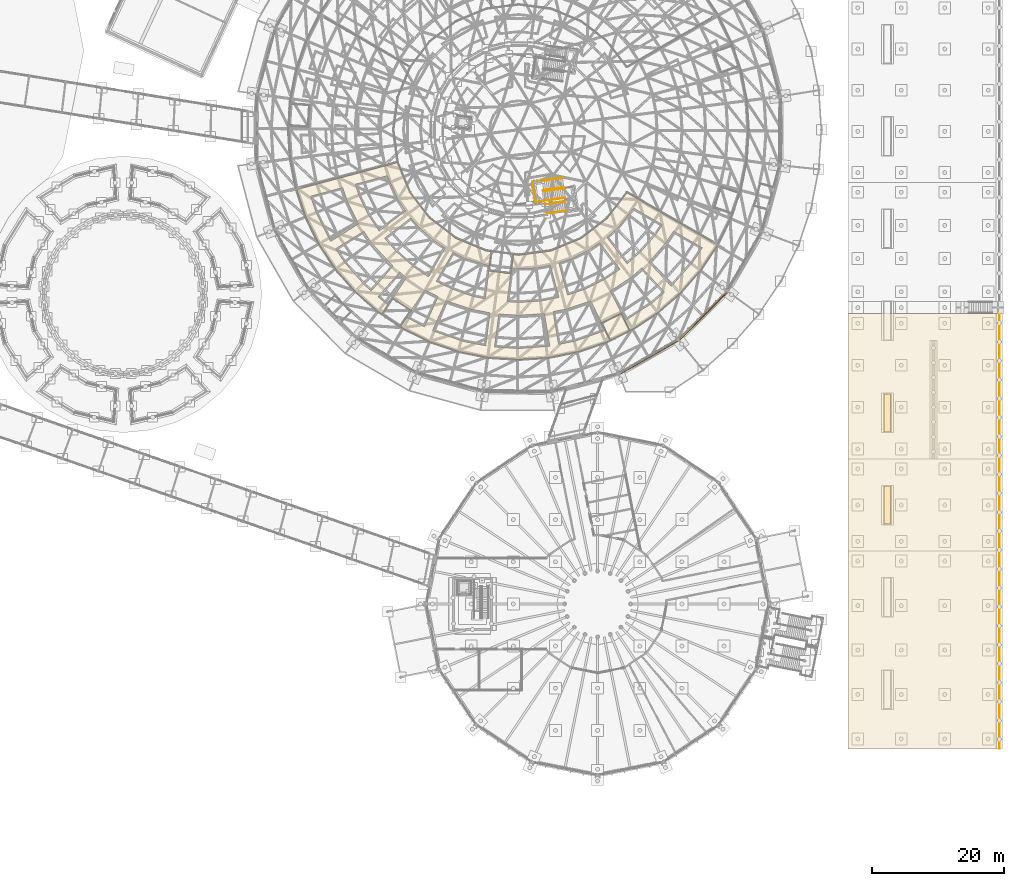
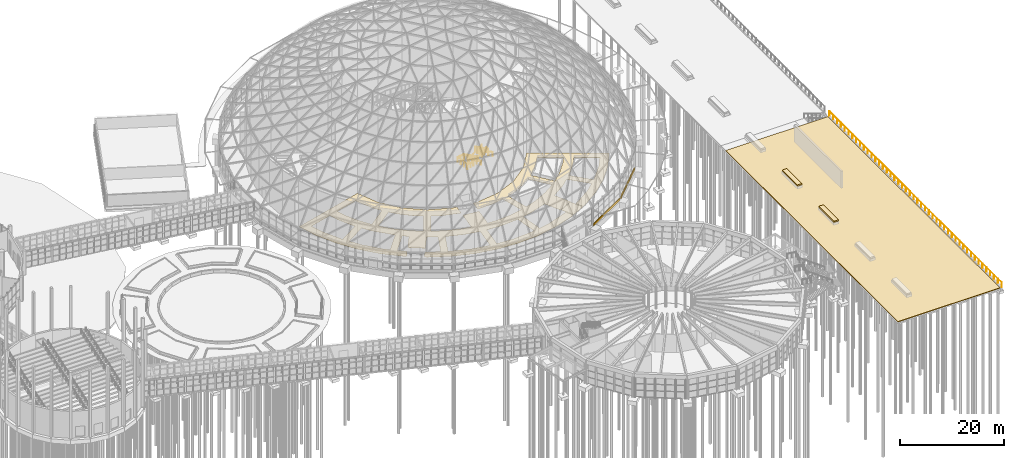
# One storey, part 220 of 226: 8 railings, 7 coverings.
"""IFC4 building model written with IfcOpenShell, lengths in metres."""

from ifc_helpers import new_model, si_unit, direction, frame, origin, origin_2d, place, context, subcontext, project, spatial, polyline, circle, outline, extrude, material, layer, layer_set, type_object, element, save


model = new_model("IFC4")

# Units and contexts
model_context = context("Model", 3, precision=1e-05, world=origin(), true_north=direction((0.0, 1.0)))
body_context = subcontext(model_context, "Body", "Model", "MODEL_VIEW")
ifc_project = project(units=[si_unit("LENGTHUNIT", "METRE"), si_unit("AREAUNIT", "SQUARE_METRE"), si_unit("VOLUMEUNIT", "CUBIC_METRE"), si_unit("PLANEANGLEUNIT", "RADIAN"), si_unit("MASSUNIT", "GRAM", prefix="KILO")], contexts=[model_context])

# Site, building, storey
site_placement = place(None, origin())
site = spatial("IfcSite", under=ifc_project, at=site_placement, CompositionType="ELEMENT")
building_placement = place(site_placement, origin())
building = spatial("IfcBuilding", under=site, at=building_placement, Name="Ceibo Conservatory and Research Tower", CompositionType="ELEMENT")
storey_placement = place(building_placement, origin())
storey = spatial("IfcBuildingStorey", under=building, at=storey_placement, Name="L00", CompositionType="ELEMENT", Elevation=0.0)

# Coverings
ifc_material_1 = material(Name="Concrete C35/45", Category="concrete")
ifc_layer_1 = layer(ifc_material_1, 0.14990234375)
ifc_layer_set_1 = layer_set([ifc_layer_1], Name="Concrete C35/45")
covering_type_1 = type_object("IfcCoveringType", Name="Concrete plinth facing 150", PredefinedType="CLADDING", material=ifc_layer_set_1)
covering_1_placement = place(storey_placement, origin())
element("IfcCovering", 1, at=covering_1_placement, inside=storey, type_object=covering_type_1, Name="Drum plinth facing A-PL25", PredefinedType="CLADDING", context=body_context, shape_type="SweptSolid", body=[
    extrude(outline(polyline([(171.362060546875, 71.009765625), (180.074951171875, 75.989501953125), (180.1494140625, 75.859375), (171.4365234375, 70.87939453125), (171.362060546875, 71.009765625)])), origin(), (0.0, 0.0, 1.0), 0.5),
])
covering_2_placement = place(storey_placement, origin())
element("IfcCovering", 2, at=covering_2_placement, inside=storey, type_object=covering_type_1, Name="Drum plinth facing A-PL26", PredefinedType="CLADDING", context=body_context, shape_type="SweptSolid", body=[
    extrude(outline(polyline([(180.412353515625, 76.24609375), (187.53955078125, 83.311279296875), (187.645263671875, 83.204833984375), (180.51806640625, 76.1396484375), (180.412353515625, 76.24609375)])), origin(), (0.0, 0.0, 1.0), 0.5),
])

# Railings
ifc_material_2 = material(Name="Stainless steel AISI 316", Category="steel")
railing_type_1 = type_object("IfcRailingType", Name="Conservatory guard 1100", PredefinedType="GUARDRAIL", material=ifc_material_2)
railing_1_placement = place(storey_placement, frame((163.09130859375, 97.635986328125, 4.0)))
element("IfcRailing", 3, at=railing_1_placement, inside=storey, type_object=railing_type_1, Name="Guard walkway stair 2 landing", PredefinedType="GUARDRAIL", context=body_context, shape_type="SweptSolid", body=[
    extrude(circle(Radius=0.02392578125, at=origin_2d()), frame((0.0, 0.0, 1.076171875), z_axis=(-0.850947260664, -0.119539937762, -0.511467460204), x_axis=(0.139112730934, -0.990276551319, 0.0)), (0.0, 0.0, 1.0), 3.584228515625),
    extrude(circle(Radius=0.02392578125, at=origin_2d()), frame((-3.050048828125, -0.428466796875, -0.75732421875), z_axis=(-0.984206166435, -0.138312996762, -0.110488627823), x_axis=(0.139165050317, -0.990269200152, 0.0)), (0.0, 0.0, 1.0), 1.50927734375),
    extrude(circle(Radius=0.02392578125, at=origin_2d()), frame((-4.535400390625, -0.63720703125, -0.923828125), z_axis=(-0.139160708979, 0.990269810242, 0.0), x_axis=(-0.990269810242, -0.139160708979, 0.0)), (0.0, 0.0, 1.0), 3.10009765625),
    extrude(circle(Radius=0.02392578125, at=origin_2d()), frame((-4.966796875, 2.4326171875, -0.923828125), z_axis=(0.990269200152, 0.139165050317, 0.0), x_axis=(-0.139165050317, 0.990269200152, 0.0)), (0.0, 0.0, 1.0), 1.5),
    extrude(circle(Radius=0.02392578125, at=origin_2d()), frame((-3.4814453125, 2.641357421875, -0.923828125), z_axis=(0.850947260664, 0.119539937762, -0.511467460204), x_axis=(-0.139112730934, 0.990276551319, 0.0)), (0.0, 0.0, 1.0), 3.584228515625),
    extrude(circle(Radius=0.02099609375, at=origin_2d()), origin(), (0.0, 0.0, 1.0), 1.052001953125),
    extrude(circle(Radius=0.02099609375, at=origin_2d()), frame((-1.0166015625, -0.142822265625, -0.611083984375)), (0.0, 0.0, 1.0), 1.052001953125),
    extrude(circle(Radius=0.02099609375, at=origin_2d()), frame((-2.033447265625, -0.28564453125, -1.22216796875)), (0.0, 0.0, 1.0), 1.052001953125),
    extrude(circle(Radius=0.02099609375, at=origin_2d()), frame((-3.050048828125, -0.428466796875, -1.833251953125)), (0.0, 0.0, 1.0), 1.052001953125),
    extrude(circle(Radius=0.02099609375, at=origin_2d()), frame((-3.792724609375, -0.53271484375, -1.91650390625)), (0.0, 0.0, 1.0), 1.052001953125),
    extrude(circle(Radius=0.02099609375, at=origin_2d()), frame((-4.535400390625, -0.63720703125, -2.0)), (0.0, 0.0, 1.0), 1.052001953125),
    extrude(circle(Radius=0.02099609375, at=origin_2d()), frame((-4.67919921875, 0.385986328125, -2.0)), (0.0, 0.0, 1.0), 1.052001953125),
    extrude(circle(Radius=0.02099609375, at=origin_2d()), frame((-4.822998046875, 1.409423828125, -2.0)), (0.0, 0.0, 1.0), 1.052001953125),
    extrude(circle(Radius=0.02099609375, at=origin_2d()), frame((-4.966796875, 2.4326171875, -2.0)), (0.0, 0.0, 1.0), 1.052001953125),
    extrude(circle(Radius=0.02099609375, at=origin_2d()), frame((-4.22412109375, 2.537109375, -2.0)), (0.0, 0.0, 1.0), 1.052001953125),
    extrude(circle(Radius=0.02099609375, at=origin_2d()), frame((-3.4814453125, 2.641357421875, -2.0)), (0.0, 0.0, 1.0), 1.052001953125),
    extrude(circle(Radius=0.02099609375, at=origin_2d()), frame((-2.46484375, 2.7841796875, -2.611083984375)), (0.0, 0.0, 1.0), 1.052001953125),
    extrude(circle(Radius=0.02099609375, at=origin_2d()), frame((-1.447998046875, 2.927001953125, -3.22216796875)), (0.0, 0.0, 1.0), 1.052001953125),
    extrude(circle(Radius=0.02099609375, at=origin_2d()), frame((-0.431396484375, 3.06982421875, -3.833251953125)), (0.0, 0.0, 1.0), 1.052001953125),
])
railing_type_2 = type_object("IfcRailingType", Name="Conservatory handrail 900", PredefinedType="HANDRAIL", material=ifc_material_2)
railing_2_placement = place(storey_placement, frame((162.8603515625, 99.27978515625, 0.166748046875)))
element("IfcRailing", 4, at=railing_2_placement, inside=storey, type_object=railing_type_2, Name="Handrail walkway stair 2 flight 1", PredefinedType="HANDRAIL", context=body_context, shape_type="SweptSolid", body=[
    extrude(circle(Radius=0.02392578125, at=origin_2d()), frame((0.0, 0.0, 0.8759765625), z_axis=(-0.850947260664, -0.119539937762, 0.511467460204), x_axis=(0.139112730934, -0.990276551319, 0.0)), (0.0, 0.0, 1.0), 3.584228515625),
    extrude(circle(Radius=0.02099609375, at=origin_2d()), origin(), (0.0, 0.0, 1.0), 0.851806640625),
    extrude(circle(Radius=0.02099609375, at=origin_2d()), frame((-1.0166015625, -0.142822265625, 0.611083984375)), (0.0, 0.0, 1.0), 0.851806640625),
    extrude(circle(Radius=0.02099609375, at=origin_2d()), frame((-2.033447265625, -0.28564453125, 1.22216796875)), (0.0, 0.0, 1.0), 0.851806640625),
    extrude(circle(Radius=0.02099609375, at=origin_2d()), frame((-3.050048828125, -0.428466796875, 1.833251953125)), (0.0, 0.0, 1.0), 0.851806640625),
])
railing_3_placement = place(storey_placement, frame((162.66845703125, 100.646484375, 0.166748046875)))
element("IfcRailing", 5, at=railing_3_placement, inside=storey, type_object=railing_type_2, Name="Handrail walkway stair 2 flight 1", PredefinedType="HANDRAIL", context=body_context, shape_type="SweptSolid", body=[
    extrude(circle(Radius=0.02392578125, at=origin_2d()), frame((0.0, 0.0, 0.8759765625), z_axis=(-0.850940330078, -0.119607077533, 0.511463294529), x_axis=(0.139190462168, -0.990265628628, 0.0)), (0.0, 0.0, 1.0), 3.584228515625),
    extrude(circle(Radius=0.02099609375, at=origin_2d()), origin(), (0.0, 0.0, 1.0), 0.851806640625),
    extrude(circle(Radius=0.02099609375, at=origin_2d()), frame((-1.0166015625, -0.142822265625, 0.611083984375)), (0.0, 0.0, 1.0), 0.851806640625),
    extrude(circle(Radius=0.02099609375, at=origin_2d()), frame((-2.033447265625, -0.285888671875, 1.22216796875)), (0.0, 0.0, 1.0), 0.851806640625),
    extrude(circle(Radius=0.02099609375, at=origin_2d()), frame((-3.050048828125, -0.4287109375, 1.833251953125)), (0.0, 0.0, 1.0), 0.851806640625),
])
railing_4_placement = place(storey_placement, frame((159.841064453125, 98.633544921875, 2.166748046875)))
element("IfcRailing", 6, at=railing_4_placement, inside=storey, type_object=railing_type_2, Name="Handrail walkway stair 2 flight 2", PredefinedType="HANDRAIL", context=body_context, shape_type="SweptSolid", body=[
    extrude(circle(Radius=0.02392578125, at=origin_2d()), frame((0.0, 0.0, 0.8759765625), z_axis=(0.850947260664, 0.119539937762, 0.511467460204), x_axis=(-0.139112730934, 0.990276551319, 0.0)), (0.0, 0.0, 1.0), 3.584228515625),
    extrude(circle(Radius=0.02099609375, at=origin_2d()), origin(), (0.0, 0.0, 1.0), 0.851806640625),
    extrude(circle(Radius=0.02099609375, at=origin_2d()), frame((1.0166015625, 0.142822265625, 0.611083984375)), (0.0, 0.0, 1.0), 0.851806640625),
    extrude(circle(Radius=0.02099609375, at=origin_2d()), frame((2.033447265625, 0.28564453125, 1.22216796875)), (0.0, 0.0, 1.0), 0.851806640625),
    extrude(circle(Radius=0.02099609375, at=origin_2d()), frame((3.050048828125, 0.428466796875, 1.833251953125)), (0.0, 0.0, 1.0), 0.851806640625),
])
railing_5_placement = place(storey_placement, frame((160.032958984375, 97.266845703125, 2.166748046875)))
element("IfcRailing", 7, at=railing_5_placement, inside=storey, type_object=railing_type_2, Name="Handrail walkway stair 2 flight 2", PredefinedType="HANDRAIL", context=body_context, shape_type="SweptSolid", body=[
    extrude(circle(Radius=0.02392578125, at=origin_2d()), frame((0.0, 0.0, 0.8759765625), z_axis=(0.850940330078, 0.119607077533, 0.511463294529), x_axis=(-0.139190462168, 0.990265628628, 0.0)), (0.0, 0.0, 1.0), 3.584228515625),
    extrude(circle(Radius=0.02099609375, at=origin_2d()), origin(), (0.0, 0.0, 1.0), 0.851806640625),
    extrude(circle(Radius=0.02099609375, at=origin_2d()), frame((1.0166015625, 0.142822265625, 0.611083984375)), (0.0, 0.0, 1.0), 0.851806640625),
    extrude(circle(Radius=0.02099609375, at=origin_2d()), frame((2.033447265625, 0.285888671875, 1.22216796875)), (0.0, 0.0, 1.0), 0.851806640625),
    extrude(circle(Radius=0.02099609375, at=origin_2d()), frame((3.050048828125, 0.4287109375, 1.833251953125)), (0.0, 0.0, 1.0), 0.851806640625),
])
railing_6_placement = place(storey_placement, frame((163.361328125, 95.71484375, 4.166748046875)))
element("IfcRailing", 8, at=railing_6_placement, inside=storey, type_object=railing_type_2, Name="Handrail walkway stair 2 flight 3", PredefinedType="HANDRAIL", context=body_context, shape_type="SweptSolid", body=[
    extrude(circle(Radius=0.02392578125, at=origin_2d()), frame((0.0, 0.0, 0.8759765625), z_axis=(-0.850947260664, -0.119539937762, 0.511467460204), x_axis=(0.139112730934, -0.990276551319, 0.0)), (0.0, 0.0, 1.0), 3.584228515625),
    extrude(circle(Radius=0.02099609375, at=origin_2d()), origin(), (0.0, 0.0, 1.0), 0.851806640625),
    extrude(circle(Radius=0.02099609375, at=origin_2d()), frame((-1.0166015625, -0.142822265625, 0.611083984375)), (0.0, 0.0, 1.0), 0.851806640625),
    extrude(circle(Radius=0.02099609375, at=origin_2d()), frame((-2.033447265625, -0.28564453125, 1.22216796875)), (0.0, 0.0, 1.0), 0.851806640625),
    extrude(circle(Radius=0.02099609375, at=origin_2d()), frame((-3.050048828125, -0.428466796875, 1.833251953125)), (0.0, 0.0, 1.0), 0.851806640625),
])
railing_7_placement = place(storey_placement, frame((163.16943359375, 97.08154296875, 4.166748046875)))
element("IfcRailing", 9, at=railing_7_placement, inside=storey, type_object=railing_type_2, Name="Handrail walkway stair 2 flight 3", PredefinedType="HANDRAIL", context=body_context, shape_type="SweptSolid", body=[
    extrude(circle(Radius=0.02392578125, at=origin_2d()), frame((0.0, 0.0, 0.8759765625), z_axis=(-0.850940330078, -0.119607077533, 0.511463294529), x_axis=(0.139190462168, -0.990265628628, 0.0)), (0.0, 0.0, 1.0), 3.584228515625),
    extrude(circle(Radius=0.02099609375, at=origin_2d()), origin(), (0.0, 0.0, 1.0), 0.851806640625),
    extrude(circle(Radius=0.02099609375, at=origin_2d()), frame((-1.0166015625, -0.142822265625, 0.611083984375)), (0.0, 0.0, 1.0), 0.851806640625),
    extrude(circle(Radius=0.02099609375, at=origin_2d()), frame((-2.033447265625, -0.285888671875, 1.22216796875)), (0.0, 0.0, 1.0), 0.851806640625),
    extrude(circle(Radius=0.02099609375, at=origin_2d()), frame((-3.050048828125, -0.4287109375, 1.833251953125)), (0.0, 0.0, 1.0), 0.851806640625),
])

# Coverings
ifc_material_3 = material(Name="Granite paving", Category="masonry")
ifc_layer_2 = layer(ifc_material_3, 0.02001953125)
ifc_layer_set_2 = layer_set([ifc_layer_2], Name="Granite paving")
covering_type_2 = type_object("IfcCoveringType", Name="Paving 20", PredefinedType="FLOORING", material=ifc_layer_set_2)
covering_3_placement = place(storey_placement, origin())
element("IfcCovering", 10, at=covering_3_placement, inside=storey, type_object=covering_type_2, Name="Path paving A-PV04", PredefinedType="FLOORING", context=body_context, shape_type="SweptSolid", body=[
    extrude(outline(polyline([(139.008056640625, 79.510009765625), (138.06591796875, 78.10009765625), (138.550048828125, 77.77587890625), (142.64404296875, 75.756103515625), (146.968017578125, 74.2900390625), (151.444091796875, 73.39794921875), (156.0, 73.10009765625), (160.555908203125, 73.39794921875), (165.031982421875, 74.2900390625), (169.35595703125, 75.756103515625), (169.8779296875, 76.013916015625), (169.1279296875, 77.535888671875), (164.592041015625, 75.931884765625), (162.0859375, 75.431884765625), (161.27392578125, 80.35791015625), (163.298095703125, 80.760009765625), (166.929931640625, 81.993896484375), (168.573974609375, 78.659912109375), (171.6220703125, 80.1640625), (169.97802734375, 83.498046875), (173.16796875, 85.6279296875), (174.719970703125, 86.989990234375), (178.132080078125, 83.345947265625), (176.2099609375, 81.659912109375), (172.177978515625, 79.0400390625), (172.927978515625, 77.51806640625), (172.929931640625, 77.52001953125), (173.449951171875, 77.77587890625), (177.24609375, 80.31201171875), (180.677978515625, 83.322021484375), (183.68798828125, 86.75390625), (186.196044921875, 90.508056640625), (185.419921875, 90.9560546875), (181.9560546875, 92.9560546875), (177.6259765625, 95.4560546875), (172.468017578125, 98.43408203125), (169.47412109375, 94.533935546875), (169.43603515625, 94.56396484375), (169.466064453125, 94.52587890625), (165.530029296875, 91.506103515625), (165.5, 91.5458984375), (165.52001953125, 91.5), (160.93603515625, 89.60205078125), (160.91796875, 89.64794921875), (160.924072265625, 89.597900390625), (156.006103515625, 88.949951171875), (156.0, 89.0), (155.993896484375, 88.949951171875), (155.219970703125, 89.052001953125), (154.931884765625, 86.8701171875), (158.76806640625, 86.98193359375), (160.798095703125, 87.385986328125), (162.093994140625, 82.555908203125), (159.419921875, 82.02392578125), (156.0, 81.800048828125), (154.280029296875, 81.912109375), (154.8359375, 86.1279296875), (151.464111328125, 86.572021484375), (150.909912109375, 82.35595703125), (149.218017578125, 82.69189453125), (145.97412109375, 83.7939453125), (143.530029296875, 85.0), (146.030029296875, 89.330078125), (147.887939453125, 88.4140625), (151.56201171875, 87.31396484375), (151.85009765625, 89.49609375), (151.075927734375, 89.597900390625), (151.08203125, 89.64794921875), (151.06396484375, 89.60205078125), (146.47998046875, 91.5), (146.5, 91.5458984375), (146.469970703125, 91.506103515625), (142.533935546875, 94.52587890625), (142.56396484375, 94.56396484375), (142.52587890625, 94.533935546875), (139.506103515625, 98.469970703125), (139.5458984375, 98.5), (139.5, 98.47998046875), (137.617919921875, 103.02197265625), (131.864013671875, 101.48193359375), (127.035888671875, 100.18798828125), (123.172119140625, 99.152099609375), (122.305908203125, 98.919921875), (123.756103515625, 94.64404296875), (125.77587890625, 90.550048828125), (128.31201171875, 86.75390625), (131.322021484375, 83.322021484375), (134.75390625, 80.31201171875), (135.238037109375, 79.988037109375), (136.181884765625, 81.39794921875), (134.681884765625, 82.6298828125), (137.971923828125, 86.382080078125), (138.94189453125, 85.531982421875), (136.8779296875, 82.44189453125), (139.7041015625, 80.552001953125), (141.77001953125, 83.64208984375), (143.751953125, 82.6640625), (141.69189453125, 78.117919921875), (139.008056640625, 79.510009765625)]), holes=[polyline([(182.340087890625, 87.7900390625), (179.18603515625, 84.27001953125), (175.7919921875, 87.89208984375), (178.3720703125, 90.83203125), (179.531982421875, 92.56591796875), (183.862060546875, 90.06591796875), (182.340087890625, 87.7900390625)]), polyline([(174.52587890625, 89.47412109375), (172.47607421875, 87.676025390625), (169.43408203125, 91.64404296875), (170.989990234375, 93.010009765625), (173.468017578125, 96.06591796875), (177.800048828125, 93.56591796875), (176.785888671875, 92.050048828125), (174.52587890625, 89.47412109375)]), polyline([(162.152099609375, 87.748046875), (164.112060546875, 88.4140625), (166.60009765625, 89.639892578125), (168.322021484375, 90.7919921875), (171.365966796875, 86.823974609375), (169.10009765625, 85.31005859375), (166.02587890625, 83.7939453125), (163.446044921875, 82.91796875), (162.152099609375, 87.748046875)]), polyline([(156.0, 74.800048828125), (152.365966796875, 75.0380859375), (153.02001953125, 79.99609375), (156.0, 79.800048828125), (159.904052734375, 80.055908203125), (160.7119140625, 75.159912109375), (156.0, 74.800048828125)]), polyline([(147.407958984375, 75.931884765625), (142.947998046875, 77.498046875), (144.99609375, 82.01806640625), (148.701904296875, 80.760009765625), (151.632080078125, 80.177978515625), (150.97802734375, 75.219970703125), (147.407958984375, 75.931884765625)]), polyline([(135.676025390625, 91.52392578125), (139.64404296875, 94.56591796875), (141.010009765625, 93.010009765625), (143.093994140625, 91.179931640625), (144.81591796875, 90.030029296875), (142.31591796875, 85.699951171875), (140.050048828125, 87.214111328125), (137.47412109375, 89.47412109375), (135.676025390625, 91.52392578125)]), polyline([(131.7939453125, 97.97412109375), (131.2080078125, 99.699951171875), (136.0380859375, 100.993896484375), (137.639892578125, 97.39990234375), (138.7919921875, 95.677978515625), (134.823974609375, 92.634033203125), (133.31005859375, 94.89990234375), (131.7939453125, 97.97412109375)]), polyline([(129.659912109375, 87.7900390625), (128.239990234375, 89.9140625), (132.47998046875, 92.550048828125), (133.6279296875, 90.83203125), (136.919921875, 87.305908203125), (133.6298828125, 83.553955078125), (132.52392578125, 84.52392578125), (129.659912109375, 87.7900390625)]), polyline([(127.4619140625, 91.077880859375), (125.327880859375, 95.2939453125), (124.446044921875, 97.887939453125), (129.27587890625, 99.181884765625), (129.946044921875, 97.2080078125), (131.677978515625, 93.699951171875), (127.4619140625, 91.077880859375)])]), origin(), (0.0, 0.0, 1.0), 0.02001953125),
])
covering_4_placement = place(storey_placement, origin())
element("IfcCovering", 11, at=covering_4_placement, inside=storey, type_object=covering_type_2, Name="Path paving A-PV06", PredefinedType="FLOORING", context=body_context, shape_type="SweptSolid", body=[
    extrude(outline(polyline([(171.577880859375, 80.030029296875), (168.7080078125, 78.614013671875), (169.9580078125, 76.075927734375), (169.968017578125, 76.05810546875), (172.837890625, 77.47412109375), (171.577880859375, 80.030029296875)])), origin(), (0.0, 0.0, 1.0), 0.02001953125),
])
ifc_material_4 = material(Name="Planting soil")
ifc_layer_3 = layer(ifc_material_4, 0.300048828125)
ifc_layer_set_3 = layer_set([ifc_layer_3], Name="Planting soil")
covering_type_3 = type_object("IfcCoveringType", Name="Planting bed soil 300", PredefinedType="FLOORING", material=ifc_layer_set_3)
covering_5_placement = place(storey_placement, frame((0.0, 0.0, 0.60009765625)))
element("IfcCovering", 12, at=covering_5_placement, inside=storey, type_object=covering_type_3, Name="Planting bed 3", PredefinedType="FLOORING", context=body_context, shape_type="SweptSolid", body=[
    extrude(outline(polyline([(211.5, 48.10009765625), (212.5, 48.10009765625), (212.5, 53.89990234375), (211.5, 53.89990234375), (211.5, 48.10009765625)])), origin(), (0.0, 0.0, 1.0), 0.2998046875),
])
covering_6_placement = place(storey_placement, frame((0.0, 0.0, 0.60009765625)))
element("IfcCovering", 13, at=covering_6_placement, inside=storey, type_object=covering_type_3, Name="Planting bed 4", PredefinedType="FLOORING", context=body_context, shape_type="SweptSolid", body=[
    extrude(outline(polyline([(211.5, 62.10009765625), (212.5, 62.10009765625), (212.5, 67.89990234375), (211.5, 67.89990234375), (211.5, 62.10009765625)])), origin(), (0.0, 0.0, 1.0), 0.2998046875),
])
ifc_layer_4 = layer(ifc_material_3, 0.14990234375)
ifc_layer_set_4 = layer_set([ifc_layer_4], Name="Granite paving")
covering_type_4 = type_object("IfcCoveringType", Name="Promenade paving 150", PredefinedType="USERDEFINED", material=ifc_layer_set_4)
covering_7_placement = place(storey_placement, frame((0.0, 0.0, -0.14990234375)))
element("IfcCovering", 14, at=covering_7_placement, inside=storey, type_object=covering_type_4, Name="Quay walk paving south", ObjectType="PAVING", PredefinedType="USERDEFINED", context=body_context, shape_type="SweptSolid", body=[
    extrude(outline(polyline([(206.0, 14.0), (228.60009765625, 14.0), (228.60009765625, 80.10009765625), (206.0, 80.10009765625), (206.0, 14.0)])), origin(), (0.0, 0.0, 1.0), 0.14990234375),
])

# Railing
railing_type_3 = type_object("IfcRailingType", Name="Quay guard 1100", PredefinedType="GUARDRAIL", material=ifc_material_2)
railing_8_placement = place(storey_placement, frame((229.0, 14.0, 0.0)))
element("IfcRailing", 15, at=railing_8_placement, inside=storey, type_object=railing_type_3, Name="Quay guard", PredefinedType="GUARDRAIL", context=body_context, shape_type="SweptSolid", body=[
    extrude(circle(Radius=0.02392578125, at=origin_2d()), frame((0.0, 0.0, 1.076171875), z_axis=(0.0, 1.0, 0.0), x_axis=(-1.0, 0.0, 0.0)), (0.0, 0.0, 1.0), 66.10009765625),
    extrude(circle(Radius=0.02099609375, at=origin_2d()), origin(), (0.0, 0.0, 1.0), 1.052001953125),
    extrude(circle(Radius=0.02099609375, at=origin_2d()), frame((0.0, 1.468994140625, 0.0)), (0.0, 0.0, 1.0), 1.052001953125),
    extrude(circle(Radius=0.02099609375, at=origin_2d()), frame((0.0, 2.937744140625, 0.0)), (0.0, 0.0, 1.0), 1.052001953125),
    extrude(circle(Radius=0.02099609375, at=origin_2d()), frame((0.0, 4.40673828125, 0.0)), (0.0, 0.0, 1.0), 1.052001953125),
    extrude(circle(Radius=0.02099609375, at=origin_2d()), frame((0.0, 5.87548828125, 0.0)), (0.0, 0.0, 1.0), 1.052001953125),
    extrude(circle(Radius=0.02099609375, at=origin_2d()), frame((0.0, 7.344482421875, 0.0)), (0.0, 0.0, 1.0), 1.052001953125),
    extrude(circle(Radius=0.02099609375, at=origin_2d()), frame((0.0, 8.813232421875, 0.0)), (0.0, 0.0, 1.0), 1.052001953125),
    extrude(circle(Radius=0.02099609375, at=origin_2d()), frame((0.0, 10.2822265625, 0.0)), (0.0, 0.0, 1.0), 1.052001953125),
    extrude(circle(Radius=0.02099609375, at=origin_2d()), frame((0.0, 11.751220703125, 0.0)), (0.0, 0.0, 1.0), 1.052001953125),
    extrude(circle(Radius=0.02099609375, at=origin_2d()), frame((0.0, 13.219970703125, 0.0)), (0.0, 0.0, 1.0), 1.052001953125),
    extrude(circle(Radius=0.02099609375, at=origin_2d()), frame((0.0, 14.68896484375, 0.0)), (0.0, 0.0, 1.0), 1.052001953125),
    extrude(circle(Radius=0.02099609375, at=origin_2d()), frame((0.0, 16.15771484375, 0.0)), (0.0, 0.0, 1.0), 1.052001953125),
    extrude(circle(Radius=0.02099609375, at=origin_2d()), frame((0.0, 17.626708984375, 0.0)), (0.0, 0.0, 1.0), 1.052001953125),
    extrude(circle(Radius=0.02099609375, at=origin_2d()), frame((0.0, 19.095703125, 0.0)), (0.0, 0.0, 1.0), 1.052001953125),
    extrude(circle(Radius=0.02099609375, at=origin_2d()), frame((0.0, 20.564453125, 0.0)), (0.0, 0.0, 1.0), 1.052001953125),
    extrude(circle(Radius=0.02099609375, at=origin_2d()), frame((0.0, 22.033447265625, 0.0)), (0.0, 0.0, 1.0), 1.052001953125),
    extrude(circle(Radius=0.02099609375, at=origin_2d()), frame((0.0, 23.502197265625, 0.0)), (0.0, 0.0, 1.0), 1.052001953125),
    extrude(circle(Radius=0.02099609375, at=origin_2d()), frame((0.0, 24.97119140625, 0.0)), (0.0, 0.0, 1.0), 1.052001953125),
    extrude(circle(Radius=0.02099609375, at=origin_2d()), frame((0.0, 26.43994140625, 0.0)), (0.0, 0.0, 1.0), 1.052001953125),
    extrude(circle(Radius=0.02099609375, at=origin_2d()), frame((0.0, 27.908935546875, 0.0)), (0.0, 0.0, 1.0), 1.052001953125),
    extrude(circle(Radius=0.02099609375, at=origin_2d()), frame((0.0, 29.3779296875, 0.0)), (0.0, 0.0, 1.0), 1.052001953125),
    extrude(circle(Radius=0.02099609375, at=origin_2d()), frame((0.0, 30.8466796875, 0.0)), (0.0, 0.0, 1.0), 1.052001953125),
    extrude(circle(Radius=0.02099609375, at=origin_2d()), frame((0.0, 32.315673828125, 0.0)), (0.0, 0.0, 1.0), 1.052001953125),
    extrude(circle(Radius=0.02099609375, at=origin_2d()), frame((0.0, 33.784423828125, 0.0)), (0.0, 0.0, 1.0), 1.052001953125),
    extrude(circle(Radius=0.02099609375, at=origin_2d()), frame((0.0, 35.25341796875, 0.0)), (0.0, 0.0, 1.0), 1.052001953125),
    extrude(circle(Radius=0.02099609375, at=origin_2d()), frame((0.0, 36.72216796875, 0.0)), (0.0, 0.0, 1.0), 1.052001953125),
    extrude(circle(Radius=0.02099609375, at=origin_2d()), frame((0.0, 38.191162109375, 0.0)), (0.0, 0.0, 1.0), 1.052001953125),
    extrude(circle(Radius=0.02099609375, at=origin_2d()), frame((0.0, 39.66015625, 0.0)), (0.0, 0.0, 1.0), 1.052001953125),
    extrude(circle(Radius=0.02099609375, at=origin_2d()), frame((0.0, 41.12890625, 0.0)), (0.0, 0.0, 1.0), 1.052001953125),
    extrude(circle(Radius=0.02099609375, at=origin_2d()), frame((0.0, 42.597900390625, 0.0)), (0.0, 0.0, 1.0), 1.052001953125),
    extrude(circle(Radius=0.02099609375, at=origin_2d()), frame((0.0, 44.066650390625, 0.0)), (0.0, 0.0, 1.0), 1.052001953125),
    extrude(circle(Radius=0.02099609375, at=origin_2d()), frame((0.0, 45.53564453125, 0.0)), (0.0, 0.0, 1.0), 1.052001953125),
    extrude(circle(Radius=0.02099609375, at=origin_2d()), frame((0.0, 47.00439453125, 0.0)), (0.0, 0.0, 1.0), 1.052001953125),
    extrude(circle(Radius=0.02099609375, at=origin_2d()), frame((0.0, 48.473388671875, 0.0)), (0.0, 0.0, 1.0), 1.052001953125),
    extrude(circle(Radius=0.02099609375, at=origin_2d()), frame((0.0, 49.9423828125, 0.0)), (0.0, 0.0, 1.0), 1.052001953125),
    extrude(circle(Radius=0.02099609375, at=origin_2d()), frame((0.0, 51.4111328125, 0.0)), (0.0, 0.0, 1.0), 1.052001953125),
    extrude(circle(Radius=0.02099609375, at=origin_2d()), frame((0.0, 52.880126953125, 0.0)), (0.0, 0.0, 1.0), 1.052001953125),
    extrude(circle(Radius=0.02099609375, at=origin_2d()), frame((0.0, 54.348876953125, 0.0)), (0.0, 0.0, 1.0), 1.052001953125),
    extrude(circle(Radius=0.02099609375, at=origin_2d()), frame((0.0, 55.81787109375, 0.0)), (0.0, 0.0, 1.0), 1.052001953125),
    extrude(circle(Radius=0.02099609375, at=origin_2d()), frame((0.0, 57.286865234375, 0.0)), (0.0, 0.0, 1.0), 1.052001953125),
    extrude(circle(Radius=0.02099609375, at=origin_2d()), frame((0.0, 58.755615234375, 0.0)), (0.0, 0.0, 1.0), 1.052001953125),
    extrude(circle(Radius=0.02099609375, at=origin_2d()), frame((0.0, 60.224609375, 0.0)), (0.0, 0.0, 1.0), 1.052001953125),
    extrude(circle(Radius=0.02099609375, at=origin_2d()), frame((0.0, 61.693359375, 0.0)), (0.0, 0.0, 1.0), 1.052001953125),
    extrude(circle(Radius=0.02099609375, at=origin_2d()), frame((0.0, 63.162353515625, 0.0)), (0.0, 0.0, 1.0), 1.052001953125),
    extrude(circle(Radius=0.02099609375, at=origin_2d()), frame((0.0, 64.631103515625, 0.0)), (0.0, 0.0, 1.0), 1.052001953125),
    extrude(circle(Radius=0.02099609375, at=origin_2d()), frame((0.0, 66.10009765625, 0.0)), (0.0, 0.0, 1.0), 1.052001953125),
])

save(model, "model.ifc")
